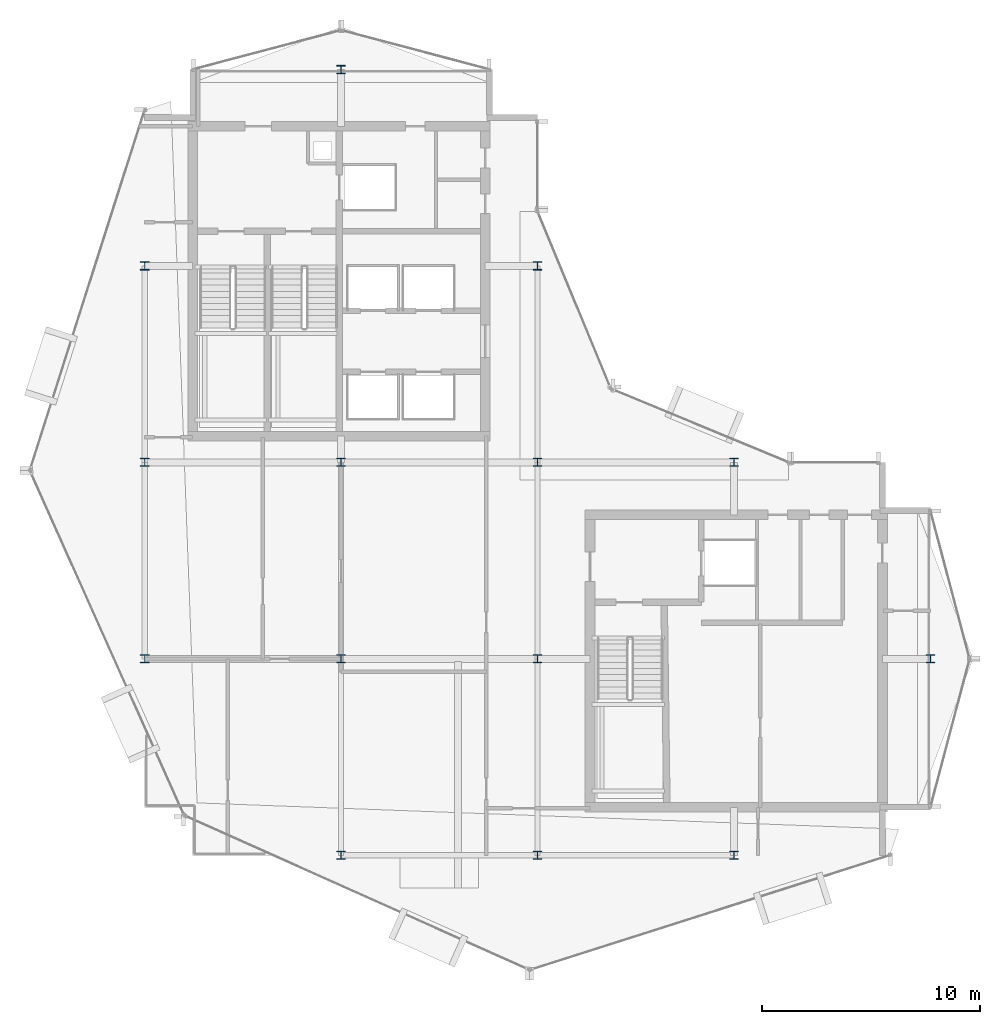
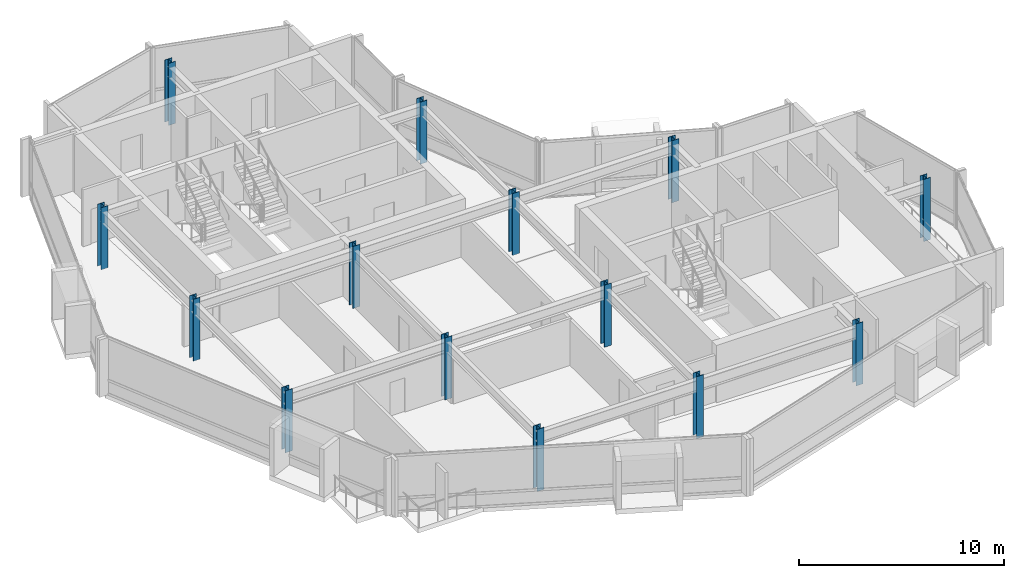
# One storey, part 1 of 19: 14 columns.
"""IFC4 building model written with IfcOpenShell, lengths in metres."""

from ifc_helpers import new_model, si_unit, direction, frame, origin, origin_2d, place, context, subcontext, project, spatial, i_section, extrude, material, material_profile, profile_set, type_object, element, save


model = new_model("IFC4")

# Units and contexts
model_context = context("Model", 3, precision=1e-05, world=origin(), true_north=direction((0.0, 1.0)))
body_context = subcontext(model_context, "Body", "Model", "MODEL_VIEW")
ifc_project = project(units=[si_unit("LENGTHUNIT", "METRE"), si_unit("AREAUNIT", "SQUARE_METRE"), si_unit("VOLUMEUNIT", "CUBIC_METRE"), si_unit("PLANEANGLEUNIT", "RADIAN"), si_unit("MASSUNIT", "GRAM", prefix="KILO")], contexts=[model_context])

# Site, building, storey
site_placement = place(None, origin())
site = spatial("IfcSite", under=ifc_project, at=site_placement, CompositionType="ELEMENT")
building_placement = place(site_placement, origin())
building = spatial("IfcBuilding", under=site, at=building_placement, Name="Solvaryn Broadcast Tower", CompositionType="ELEMENT")
storey_placement = place(building_placement, frame((0.0, 0.0, 277.800048828125)))
storey = spatial("IfcBuildingStorey", under=building, at=storey_placement, Name="L70", CompositionType="ELEMENT", Elevation=277.800048828125)

# Columns
ifc_material_1 = material(Name="Steel ASTM A913 Grade 65", Category="steel")
ifc_material_profile_1 = material_profile(ifc_material_1, i_section(OverallWidth=0.39404296875, OverallDepth=0.375, WebThickness=0.017333984375, FlangeThickness=0.027587890625, FilletRadius=0.014892578125, at=origin_2d()))
ifc_profile_set_1 = profile_set([ifc_material_profile_1], Name="Steel ASTM A913 Grade 65")
column_type_1 = type_object("IfcColumnType", Name="COL-C10E-W14X145", PredefinedType="COLUMN", material=ifc_profile_set_1)
for number, where, z_axis, x_axis, name in (
    (1, (9.0, 18.0, 0.0), (0.0, 0.0, 1.0), (1.0, 0.0, 0.0), "L70 Column (9.0, 18.0)"),
    (2, (9.0, 27.0, 0.0), (0.0, 0.0, 1.0), (1.0, 0.0, 0.0), "L70 Column (9.0, 27.0)"),
    (3, (9.0, 36.0, 0.0), (0.0, 0.0, 1.0), (1.0, 0.0, 0.0), "L70 Column (9.0, 36.0)"),
    (4, (18.0, 9.0, 0.0), (0.0, 0.0, 1.0), (1.0, 0.0, 0.0), "L70 Column (18.0, 9.0)"),
    (5, (18.0, 45.0, 0.0), (0.0, 0.0, 1.0), (1.0, 0.0, 0.0), "L70 Column (18.0, 45.0)"),
    (6, (27.0, 9.0, 0.0), (0.0, 0.0, 1.0), (1.0, 0.0, 0.0), "L70 Column (27.0, 9.0)"),
    (7, (27.0, 36.0, 0.0), (0.0, 0.0, 1.0), (1.0, 0.0, 0.0), "L70 Column (27.0, 36.0)"),
    (8, (36.0, 9.0, 0.0), (0.0, 0.0, 1.0), (1.0, 0.0, 0.0), "L70 Column (36.0, 9.0)"),
    (9, (36.0, 27.0, 0.0), (0.0, 0.0, 1.0), (1.0, 0.0, 0.0), "L70 Column (36.0, 27.0)"),
    (10, (45.0, 18.0, 0.0), (0.0, 0.0, 1.0), (1.0, 0.0, 0.0), "L70 Column (45.0, 18.0)"),
):
    element("IfcColumn", number, at=place(storey_placement, frame(where, z_axis=z_axis, x_axis=x_axis)), inside=storey, type_object=column_type_1, Name=name, PredefinedType="COLUMN", context=body_context, shape_type="SweptSolid", body=[
        extrude(i_section(OverallWidth=0.39404296875, OverallDepth=0.375, WebThickness=0.017333984375, FlangeThickness=0.027587890625, FilletRadius=0.014892578125, at=origin_2d()), origin(), (0.0, 0.0, 1.0), 3.699951171875),
    ])
ifc_material_2 = material(Name="Steel ASTM A913 Grade 65", Category="steel")
ifc_material_profile_2 = material_profile(ifc_material_2, i_section(OverallWidth=0.39404296875, OverallDepth=0.375, WebThickness=0.017333984375, FlangeThickness=0.027587890625, FilletRadius=0.014892578125, at=origin_2d()))
ifc_profile_set_2 = profile_set([ifc_material_profile_2], Name="Steel ASTM A913 Grade 65")
column_type_2 = type_object("IfcColumnType", Name="COL-C10I-W14X145", PredefinedType="COLUMN", material=ifc_profile_set_2)
for number, where, z_axis, x_axis, name in (
    (11, (18.0, 18.0, 0.0), (0.0, 0.0, 1.0), (1.0, 0.0, 0.0), "L70 Column (18.0, 18.0)"),
    (12, (18.0, 27.0, 0.0), (0.0, 0.0, 1.0), (1.0, 0.0, 0.0), "L70 Column (18.0, 27.0)"),
    (13, (27.0, 18.0, 0.0), (0.0, 0.0, 1.0), (1.0, 0.0, 0.0), "L70 Column (27.0, 18.0)"),
    (14, (27.0, 27.0, 0.0), (0.0, 0.0, 1.0), (1.0, 0.0, 0.0), "L70 Column (27.0, 27.0)"),
):
    element("IfcColumn", number, at=place(storey_placement, frame(where, z_axis=z_axis, x_axis=x_axis)), inside=storey, type_object=column_type_2, Name=name, PredefinedType="COLUMN", context=body_context, shape_type="SweptSolid", body=[
        extrude(i_section(OverallWidth=0.39404296875, OverallDepth=0.375, WebThickness=0.017333984375, FlangeThickness=0.027587890625, FilletRadius=0.014892578125, at=origin_2d()), origin(), (0.0, 0.0, 1.0), 3.699951171875),
    ])

save(model, "model.ifc")
